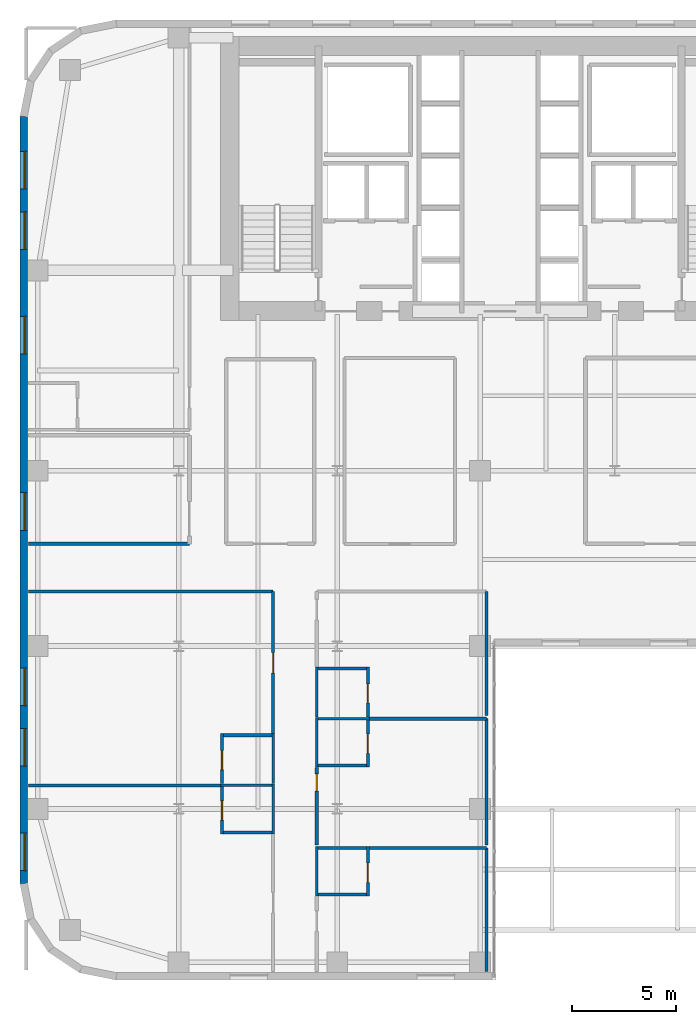
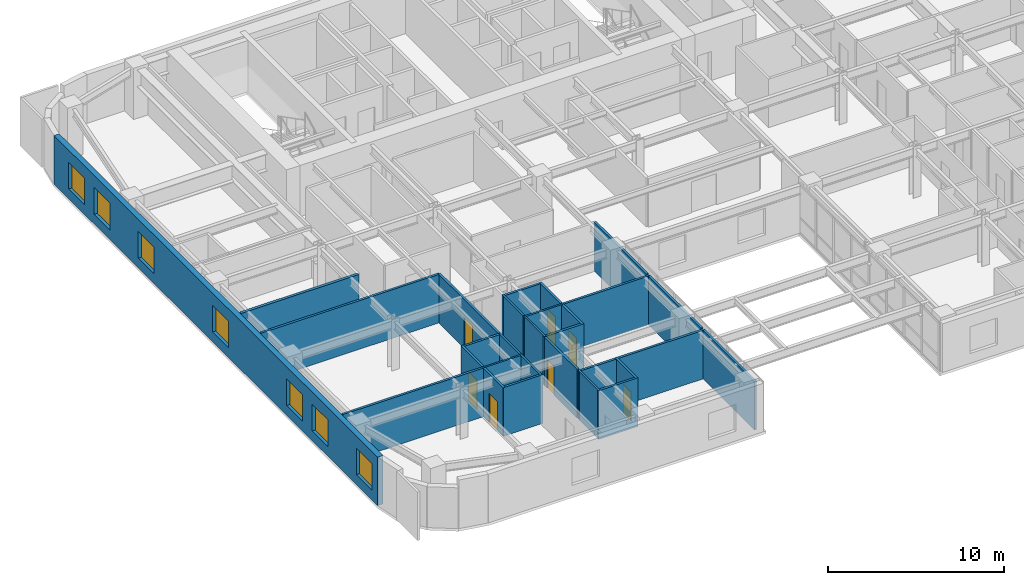
# One storey, part 10 of 16: 29 walls, 7 doors, 7 windows, 14 openings.
"""IFC4 building model written with IfcOpenShell, lengths in metres."""

from ifc_helpers import new_model, si_unit, direction, frame, frame_2d, origin, place, context, subcontext, project, spatial, rectangle, extrude, source, transform, mapped, material, layer, layer_set, type_object, type_shapes, element, fill, save


model = new_model("IFC4")

# Units and contexts
model_context = context("Model", 3, precision=1e-05, world=origin(), true_north=direction((0.0, 1.0)))
body_context = subcontext(model_context, "Body", "Model", "MODEL_VIEW")
ifc_project = project(units=[si_unit("LENGTHUNIT", "METRE"), si_unit("AREAUNIT", "SQUARE_METRE"), si_unit("VOLUMEUNIT", "CUBIC_METRE"), si_unit("PLANEANGLEUNIT", "RADIAN"), si_unit("MASSUNIT", "GRAM", prefix="KILO")], contexts=[model_context])

# Site, building, storey
site_placement = place(None, origin())
site = spatial("IfcSite", under=ifc_project, at=site_placement, CompositionType="ELEMENT")
building_placement = place(site_placement, origin())
building = spatial("IfcBuilding", under=site, at=building_placement, Name="Tolvann Quenvar Hotel", CompositionType="ELEMENT")
storey_placement = place(building_placement, frame((0.0, 0.0, 71.050048828125)))
storey = spatial("IfcBuildingStorey", under=building, at=storey_placement, Name="L17", CompositionType="ELEMENT", Elevation=71.050048828125)

# Wall, openings, windows
ifc_material_1 = material(Name="Kiln-fired red and buff architectural clay brickwork and terracotta masonry", Category="masonry")
ifc_layer_1 = layer(ifc_material_1, 0.35009765625)
ifc_layer_set_1 = layer_set([ifc_layer_1], Name="Kiln-fired red and buff architectural clay brickwork and terracotta masonry")
wall_type_1 = type_object("IfcWallType", Name="WALL_EXT_BRICK_350", PredefinedType="SOLIDWALL", material=ifc_layer_set_1)
wall_1_placement = place(storey_placement, frame((0.175048828125, 41.3828125, 0.0), z_axis=(0.0, 0.0, 1.0), x_axis=(0.0, -1.0, 0.0)))
wall_1 = element("IfcWall", 1, at=wall_1_placement, inside=storey, type_object=wall_type_1, Name="Exterior Chicago Brick Wall L17-E23", PredefinedType="SOLIDWALL", context=body_context, shape_type="SweptSolid", body=[
    extrude(rectangle(XDim=36.765625, YDim=0.35009765625, at=frame_2d((18.3828125, 0.0))), origin(), (0.0, 0.0, 1.0), 3.369873046875),
])
opening_1_placement = place(wall_1_placement, frame((1.676025390625, 0.0, 0.679931640625)))
opening_1 = element("IfcOpeningElement", 2, at=opening_1_placement, cuts=wall_1, Name="Opening W-03", PredefinedType="OPENING", context=body_context, shape_type="SweptSolid", body=[
    extrude(rectangle(XDim=1.800048828125, YDim=1.85009765625, at=frame_2d((0.89990234375, 0.925048828125))), frame((0.0, 0.18505859375, 0.0), z_axis=(0.0, -1.0, 0.0), x_axis=(1.0, 0.0, 0.0)), (0.0, 0.0, 1.0), 0.3701171875),
])
opening_2_placement = place(wall_1_placement, frame((4.577880859375, 0.0, 0.679931640625)))
opening_2 = element("IfcOpeningElement", 3, at=opening_2_placement, cuts=wall_1, Name="Opening W-03", PredefinedType="OPENING", context=body_context, shape_type="SweptSolid", body=[
    extrude(rectangle(XDim=1.800048828125, YDim=1.85009765625, at=frame_2d((0.89990234375, 0.925048828125))), frame((0.0, 0.18505859375, 0.0), z_axis=(0.0, -1.0, 0.0), x_axis=(1.0, 0.0, 0.0)), (0.0, 0.0, 1.0), 0.3701171875),
])
opening_3_placement = place(wall_1_placement, frame((9.5791015625, 0.0, 0.679931640625)))
opening_3 = element("IfcOpeningElement", 4, at=opening_3_placement, cuts=wall_1, Name="Opening W-03", PredefinedType="OPENING", context=body_context, shape_type="SweptSolid", body=[
    extrude(rectangle(XDim=1.800048828125, YDim=1.85009765625, at=frame_2d((0.89990234375, 0.925048828125))), frame((0.0, 0.18505859375, 0.0), z_axis=(0.0, -1.0, 0.0), x_axis=(1.0, 0.0, 0.0)), (0.0, 0.0, 1.0), 0.3701171875),
])
opening_4_placement = place(wall_1_placement, frame((18.032958984375, 0.0, 0.679931640625)))
opening_4 = element("IfcOpeningElement", 5, at=opening_4_placement, cuts=wall_1, Name="Opening W-03", PredefinedType="OPENING", context=body_context, shape_type="SweptSolid", body=[
    extrude(rectangle(XDim=1.800048828125, YDim=1.85009765625, at=frame_2d((0.89990234375, 0.925048828125))), frame((0.0, 0.18505859375, 0.0), z_axis=(0.0, -1.0, 0.0), x_axis=(1.0, 0.0, 0.0)), (0.0, 0.0, 1.0), 0.3701171875),
])
opening_5_placement = place(wall_1_placement, frame((26.43603515625, 0.0, 0.679931640625)))
opening_5 = element("IfcOpeningElement", 6, at=opening_5_placement, cuts=wall_1, Name="Opening W-03", PredefinedType="OPENING", context=body_context, shape_type="SweptSolid", body=[
    extrude(rectangle(XDim=1.800048828125, YDim=1.85009765625, at=frame_2d((0.89990234375, 0.925048828125))), frame((0.0, 0.18505859375, 0.0), z_axis=(0.0, -1.0, 0.0), x_axis=(1.0, 0.0, 0.0)), (0.0, 0.0, 1.0), 0.3701171875),
])
opening_6_placement = place(wall_1_placement, frame((29.337890625, 0.0, 0.679931640625)))
opening_6 = element("IfcOpeningElement", 7, at=opening_6_placement, cuts=wall_1, Name="Opening W-03", PredefinedType="OPENING", context=body_context, shape_type="SweptSolid", body=[
    extrude(rectangle(XDim=1.800048828125, YDim=1.85009765625, at=frame_2d((0.89990234375, 0.925048828125))), frame((0.0, 0.18505859375, 0.0), z_axis=(0.0, -1.0, 0.0), x_axis=(1.0, 0.0, 0.0)), (0.0, 0.0, 1.0), 0.3701171875),
])
opening_7_placement = place(wall_1_placement, frame((34.340087890625, 0.0, 0.679931640625)))
opening_7 = element("IfcOpeningElement", 8, at=opening_7_placement, cuts=wall_1, Name="Opening W-03", PredefinedType="OPENING", context=body_context, shape_type="SweptSolid", body=[
    extrude(rectangle(XDim=1.800048828125, YDim=1.85009765625, at=frame_2d((0.89990234375, 0.925048828125))), frame((0.0, 0.18505859375, 0.0), z_axis=(0.0, -1.0, 0.0), x_axis=(1.0, 0.0, 0.0)), (0.0, 0.0, 1.0), 0.3701171875),
])
ifc_material_2 = material(Name="Thermally broken bronze-anodised aluminium frame with double low-E glazing", Category="aluminium")
window_type = type_object("IfcWindowType", Name="WIN_CHI_1800x2050", PartitioningType="TRIPLE_PANEL_HORIZONTAL", PredefinedType="WINDOW", material=ifc_material_2)
shared_shape_1 = source(origin(), body_context, "Body", "SweptSolid", [
    extrude(rectangle(XDim=1.800048828125, YDim=1.85009765625, at=frame_2d((0.89990234375, 0.925048828125))), frame((0.0, 0.090087890625, 0.0), z_axis=(0.0, -1.0, 0.0), x_axis=(1.0, 0.0, 0.0)), (0.0, 0.0, 1.0), 0.06005859375),
])
type_shapes(window_type, [shared_shape_1])
window_1_placement = place(opening_1_placement, origin())
window_1 = element("IfcWindow", 9, at=window_1_placement, inside=storey, type_object=window_type, Name="Chicago Window W-03 (EW-L17-E23-W01)", OverallHeight=1.85009765625, OverallWidth=1.800048828125, PartitioningType="TRIPLE_PANEL_HORIZONTAL", PredefinedType="WINDOW", context=body_context, shape_type="MappedRepresentation", body=[
    mapped(shared_shape_1, transform((0.0, 0.0, 0.0), x_axis=(1.0, 0.0, 0.0), y_axis=(0.0, 1.0, 0.0), z_axis=(0.0, 0.0, 1.0), scale=1.0)),
])
fill(opening_1, window_1)
window_2_placement = place(opening_2_placement, origin())
window_2 = element("IfcWindow", 10, at=window_2_placement, inside=storey, type_object=window_type, Name="Chicago Window W-03 (EW-L17-E23-W02)", OverallHeight=1.85009765625, OverallWidth=1.800048828125, PartitioningType="TRIPLE_PANEL_HORIZONTAL", PredefinedType="WINDOW", context=body_context, shape_type="MappedRepresentation", body=[
    mapped(shared_shape_1, transform((0.0, 0.0, 0.0), x_axis=(1.0, 0.0, 0.0), y_axis=(0.0, 1.0, 0.0), z_axis=(0.0, 0.0, 1.0), scale=1.0)),
])
fill(opening_2, window_2)
window_3_placement = place(opening_3_placement, origin())
window_3 = element("IfcWindow", 11, at=window_3_placement, inside=storey, type_object=window_type, Name="Chicago Window W-03 (EW-L17-E23-W03)", OverallHeight=1.85009765625, OverallWidth=1.800048828125, PartitioningType="TRIPLE_PANEL_HORIZONTAL", PredefinedType="WINDOW", context=body_context, shape_type="MappedRepresentation", body=[
    mapped(shared_shape_1, transform((0.0, 0.0, 0.0), x_axis=(1.0, 0.0, 0.0), y_axis=(0.0, 1.0, 0.0), z_axis=(0.0, 0.0, 1.0), scale=1.0)),
])
fill(opening_3, window_3)
window_4_placement = place(opening_4_placement, origin())
window_4 = element("IfcWindow", 12, at=window_4_placement, inside=storey, type_object=window_type, Name="Chicago Window W-03 (EW-L17-E23-W04)", OverallHeight=1.85009765625, OverallWidth=1.800048828125, PartitioningType="TRIPLE_PANEL_HORIZONTAL", PredefinedType="WINDOW", context=body_context, shape_type="MappedRepresentation", body=[
    mapped(shared_shape_1, transform((0.0, 0.0, 0.0), x_axis=(1.0, 0.0, 0.0), y_axis=(0.0, 1.0, 0.0), z_axis=(0.0, 0.0, 1.0), scale=1.0)),
])
fill(opening_4, window_4)
window_5_placement = place(opening_5_placement, origin())
window_5 = element("IfcWindow", 13, at=window_5_placement, inside=storey, type_object=window_type, Name="Chicago Window W-03 (EW-L17-E23-W05)", OverallHeight=1.85009765625, OverallWidth=1.800048828125, PartitioningType="TRIPLE_PANEL_HORIZONTAL", PredefinedType="WINDOW", context=body_context, shape_type="MappedRepresentation", body=[
    mapped(shared_shape_1, transform((0.0, 0.0, 0.0), x_axis=(1.0, 0.0, 0.0), y_axis=(0.0, 1.0, 0.0), z_axis=(0.0, 0.0, 1.0), scale=1.0)),
])
fill(opening_5, window_5)
window_6_placement = place(opening_6_placement, origin())
window_6 = element("IfcWindow", 14, at=window_6_placement, inside=storey, type_object=window_type, Name="Chicago Window W-03 (EW-L17-E23-W06)", OverallHeight=1.85009765625, OverallWidth=1.800048828125, PartitioningType="TRIPLE_PANEL_HORIZONTAL", PredefinedType="WINDOW", context=body_context, shape_type="MappedRepresentation", body=[
    mapped(shared_shape_1, transform((0.0, 0.0, 0.0), x_axis=(1.0, 0.0, 0.0), y_axis=(0.0, 1.0, 0.0), z_axis=(0.0, 0.0, 1.0), scale=1.0)),
])
fill(opening_6, window_6)
window_7_placement = place(opening_7_placement, origin())
window_7 = element("IfcWindow", 15, at=window_7_placement, inside=storey, type_object=window_type, Name="Chicago Window W-03 (EW-L17-E23-W07)", OverallHeight=1.85009765625, OverallWidth=1.800048828125, PartitioningType="TRIPLE_PANEL_HORIZONTAL", PredefinedType="WINDOW", context=body_context, shape_type="MappedRepresentation", body=[
    mapped(shared_shape_1, transform((0.0, 0.0, 0.0), x_axis=(1.0, 0.0, 0.0), y_axis=(0.0, 1.0, 0.0), z_axis=(0.0, 0.0, 1.0), scale=1.0)),
])
fill(opening_7, window_7)

# Walls
ifc_material_3 = material(Name="Acoustic twin-stud fire-rated gypsum plasterboard partition")
ifc_layer_2 = layer(ifc_material_3, 0.179931640625)
ifc_layer_set_2 = layer_set([ifc_layer_2], Name="Acoustic twin-stud fire-rated gypsum plasterboard partition")
wall_type_2 = type_object("IfcWallType", Name="WALL_PART_ACOUSTIC_180", PredefinedType="PARTITIONING", material=ifc_layer_set_2)
wall_2_placement = place(storey_placement, frame((0.405029296875, 20.89990234375, 0.0), z_axis=(0.0, 0.0, 1.0), x_axis=(1.0, 0.0, 0.0)))
element("IfcWall", 16, at=wall_2_placement, inside=storey, type_object=wall_type_2, Name="Interior Partition PT-SPC-L17-SAL-S", PredefinedType="PARTITIONING", context=body_context, shape_type="SweptSolid", body=[
    extrude(rectangle(XDim=7.715087890625, YDim=0.179931640625, at=frame_2d((3.857421875, 0.0))), origin(), (0.0, 0.0, 1.0), 3.369873046875),
])
ifc_material_4 = material(Name="Moisture-resistant acoustic plumbing wall assembly")
ifc_layer_3 = layer(ifc_material_4, 0.1201171875)
ifc_layer_set_3 = layer_set([ifc_layer_3], Name="Moisture-resistant acoustic plumbing wall assembly")
wall_type_3 = type_object("IfcWallType", Name="WALL_PART_BATH_120", PredefinedType="PLUMBINGWALL", material=ifc_layer_set_3)
wall_3_placement = place(storey_placement, frame((9.610107421875, 9.320068359375, 0.0), z_axis=(0.0, 0.0, 1.0), x_axis=(1.0, 0.0, 0.0)))
element("IfcWall", 17, at=wall_3_placement, inside=storey, type_object=wall_type_3, Name="Non-Rated Plumbing Partition PT-SPC-L17-ENS-WO01-N", PredefinedType="PLUMBINGWALL", context=body_context, shape_type="SweptSolid", body=[
    extrude(rectangle(XDim=2.58984375, YDim=0.1201171875, at=frame_2d((1.294921875, 0.0))), origin(), (0.0, 0.0, 1.0), 3.369873046875),
])
wall_4_placement = place(storey_placement, frame((12.1298828125, 7.0, 0.0), z_axis=(0.0, 0.0, 1.0), x_axis=(0.0, 1.0, 0.0)))
element("IfcWall", 18, at=wall_4_placement, inside=storey, type_object=wall_type_3, Name="Non-Rated Plumbing Partition PT-SPC-L17-ENS-WO01-E", PredefinedType="PLUMBINGWALL", context=body_context, shape_type="SweptSolid", body=[
    extrude(rectangle(XDim=2.389892578125, YDim=0.1201171875, at=frame_2d((1.19482421875, 0.0))), origin(), (0.0, 0.0, 1.0), 3.369873046875),
])
wall_5_placement = place(storey_placement, frame((12.1298828125, 9.409912109375, 0.0), z_axis=(0.0, 0.0, 1.0), x_axis=(0.0, 1.0, 0.0)))
element("IfcWall", 19, at=wall_5_placement, inside=storey, type_object=wall_type_3, Name="Non-Rated Plumbing Partition PT-SPC-L17-ENS-WO02-E", PredefinedType="PLUMBINGWALL", context=body_context, shape_type="SweptSolid", body=[
    extrude(rectangle(XDim=2.39013671875, YDim=0.1201171875, at=frame_2d((1.195068359375, 0.0))), origin(), (0.0, 0.0, 1.0), 3.369873046875),
])
wall_6_placement = place(storey_placement, frame((14.219970703125, 4.031005859375, 0.0), z_axis=(0.0, 0.0, 1.0), x_axis=(0.0, 1.0, 0.0)))
element("IfcWall", 20, at=wall_6_placement, inside=storey, type_object=wall_type_3, Name="Non-Rated Plumbing Partition PT-SPC-L17-ENS-WI01-W", PredefinedType="PLUMBINGWALL", context=body_context, shape_type="SweptSolid", body=[
    extrude(rectangle(XDim=2.35888671875, YDim=0.1201171875, at=frame_2d((1.179443359375, 0.0))), origin(), (0.0, 0.0, 1.0), 3.369873046875),
])
wall_7_placement = place(storey_placement, frame((14.14990234375, 12.52001953125, 0.0), z_axis=(0.0, 0.0, 1.0), x_axis=(1.0, 0.0, 0.0)))
element("IfcWall", 21, at=wall_7_placement, inside=storey, type_object=wall_type_3, Name="Non-Rated Plumbing Partition PT-SPC-L17-ENS-WI02-N", PredefinedType="PLUMBINGWALL", context=body_context, shape_type="SweptSolid", body=[
    extrude(rectangle(XDim=2.590087890625, YDim=0.1201171875, at=frame_2d((1.294921875, 0.0))), origin(), (0.0, 0.0, 1.0), 3.369873046875),
])
wall_8_placement = place(storey_placement, frame((14.219970703125, 10.199951171875, 0.0), z_axis=(0.0, 0.0, 1.0), x_axis=(0.0, 1.0, 0.0)))
element("IfcWall", 22, at=wall_8_placement, inside=storey, type_object=wall_type_3, Name="Non-Rated Plumbing Partition PT-SPC-L17-ENS-WI02-W", PredefinedType="PLUMBINGWALL", context=body_context, shape_type="SweptSolid", body=[
    extrude(rectangle(XDim=2.39013671875, YDim=0.1201171875, at=frame_2d((1.195068359375, 0.0))), origin(), (0.0, 0.0, 1.0), 3.369873046875),
])
wall_9_placement = place(storey_placement, frame((14.219970703125, 12.610107421875, 0.0), z_axis=(0.0, 0.0, 1.0), x_axis=(0.0, 1.0, 0.0)))
element("IfcWall", 23, at=wall_9_placement, inside=storey, type_object=wall_type_3, Name="Non-Rated Plumbing Partition PT-SPC-L17-ENS-WI03-W", PredefinedType="PLUMBINGWALL", context=body_context, shape_type="SweptSolid", body=[
    extrude(rectangle(XDim=2.389892578125, YDim=0.1201171875, at=frame_2d((1.19482421875, 0.0))), origin(), (0.0, 0.0, 1.0), 3.369873046875),
])

# Wall, opening, door
ifc_layer_4 = layer(ifc_material_3, 0.14990234375)
ifc_layer_set_4 = layer_set([ifc_layer_4], Name="Acoustic twin-stud fire-rated gypsum plasterboard partition")
wall_type_4 = type_object("IfcWallType", Name="WALL_PART_SUITE_150", PredefinedType="PARTITIONING", material=ifc_layer_set_4)
wall_10_placement = place(storey_placement, frame((9.679931640625, 7.0, 0.0), z_axis=(0.0, 0.0, 1.0), x_axis=(0.0, 1.0, 0.0)))
wall_10 = element("IfcWall", 24, at=wall_10_placement, inside=storey, type_object=wall_type_4, Name="Interior Partition PT-SPC-L17-ENS-WO01-ENT", PredefinedType="PARTITIONING", context=body_context, shape_type="SweptSolid", body=[
    extrude(rectangle(XDim=2.389892578125, YDim=0.14990234375, at=frame_2d((1.19482421875, 0.0))), origin(), (0.0, 0.0, 1.0), 3.369873046875),
])
opening_8_placement = place(wall_10_placement, frame((0.6650390625, 0.0, 0.0)))
opening_8 = element("IfcOpeningElement", 25, at=opening_8_placement, cuts=wall_10, Name="Opening WD-01", PredefinedType="OPENING", context=body_context, shape_type="SweptSolid", body=[
    extrude(rectangle(XDim=0.919921875, YDim=2.010009765625, at=frame_2d((0.4599609375, 1.0048828125))), frame((0.0, 0.0849609375, 0.0), z_axis=(0.0, -1.0, 0.0), x_axis=(1.0, 0.0, 0.0)), (0.0, 0.0, 1.0), 0.169921875),
])
ifc_material_5 = material(Name="Solid-core American oak acoustic fire door leaf in steel frame", Category="steel")
door_type_1 = type_object("IfcDoorType", Name="DOOR_WC_920", OperationType="NOTDEFINED", PredefinedType="DOOR", material=ifc_material_5)
shared_shape_2 = source(origin(), body_context, "Body", "SweptSolid", [
    extrude(rectangle(XDim=0.919921875, YDim=2.010009765625, at=frame_2d((0.4599609375, 1.0048828125))), frame((0.0, 0.02490234375, 0.0), z_axis=(0.0, -1.0, 0.0), x_axis=(1.0, 0.0, 0.0)), (0.0, 0.0, 1.0), 0.050048828125),
])
type_shapes(door_type_1, [shared_shape_2])
door_1_placement = place(opening_8_placement, origin())
door_1 = element("IfcDoor", 26, at=door_1_placement, inside=storey, type_object=door_type_1, Name="Interior Door DOOR-SPC-L17-ENS-WO01", OperationType="SINGLE_SWING_RIGHT", OverallHeight=2.010009765625, OverallWidth=0.919921875, PredefinedType="DOOR", context=body_context, shape_type="MappedRepresentation", body=[
    mapped(shared_shape_2, transform((0.0, 0.0, 0.0), x_axis=(1.0, 0.0, 0.0), y_axis=(0.0, 1.0, 0.0), z_axis=(0.0, 0.0, 1.0), scale=1.0)),
])
fill(opening_8, door_1)

# Wall
wall_11_placement = place(storey_placement, frame((9.610107421875, 7.070068359375, 0.0), z_axis=(0.0, 0.0, 1.0), x_axis=(1.0, 0.0, 0.0)))
element("IfcWall", 27, at=wall_11_placement, inside=storey, type_object=wall_type_4, Name="Interior Partition PT-SPC-L17-ENS-WO01-S", PredefinedType="PARTITIONING", context=body_context, shape_type="SweptSolid", body=[
    extrude(rectangle(XDim=2.58984375, YDim=0.14990234375, at=frame_2d((1.294921875, 0.0))), origin(), (0.0, 0.0, 1.0), 3.369873046875),
])

# Wall, opening, door
wall_12_placement = place(storey_placement, frame((9.679931640625, 9.409912109375, 0.0), z_axis=(0.0, 0.0, 1.0), x_axis=(0.0, 1.0, 0.0)))
wall_12 = element("IfcWall", 28, at=wall_12_placement, inside=storey, type_object=wall_type_4, Name="Interior Partition PT-SPC-L17-ENS-WO02-ENT", PredefinedType="PARTITIONING", context=body_context, shape_type="SweptSolid", body=[
    extrude(rectangle(XDim=2.39013671875, YDim=0.14990234375, at=frame_2d((1.195068359375, 0.0))), origin(), (0.0, 0.0, 1.0), 3.369873046875),
])
opening_9_placement = place(wall_12_placement, frame((0.6650390625, 0.0, 0.0)))
opening_9 = element("IfcOpeningElement", 29, at=opening_9_placement, cuts=wall_12, Name="Opening WD-01", PredefinedType="OPENING", context=body_context, shape_type="SweptSolid", body=[
    extrude(rectangle(XDim=0.919921875, YDim=2.010009765625, at=frame_2d((0.4599609375, 1.0048828125))), frame((0.0, 0.0849609375, 0.0), z_axis=(0.0, -1.0, 0.0), x_axis=(1.0, 0.0, 0.0)), (0.0, 0.0, 1.0), 0.169921875),
])
door_2_placement = place(opening_9_placement, origin())
door_2 = element("IfcDoor", 30, at=door_2_placement, inside=storey, type_object=door_type_1, Name="Interior Door DOOR-SPC-L17-ENS-WO02", OperationType="SINGLE_SWING_LEFT", OverallHeight=2.010009765625, OverallWidth=0.919921875, PredefinedType="DOOR", context=body_context, shape_type="MappedRepresentation", body=[
    mapped(shared_shape_2, transform((0.0, 0.0, 0.0), x_axis=(1.0, 0.0, 0.0), y_axis=(0.0, 1.0, 0.0), z_axis=(0.0, 0.0, 1.0), scale=1.0)),
])
fill(opening_9, door_2)

# Wall
wall_13_placement = place(storey_placement, frame((9.610107421875, 11.72998046875, 0.0), z_axis=(0.0, 0.0, 1.0), x_axis=(1.0, 0.0, 0.0)))
element("IfcWall", 31, at=wall_13_placement, inside=storey, type_object=wall_type_4, Name="Interior Partition PT-SPC-L17-ENS-WO02-N", PredefinedType="PARTITIONING", context=body_context, shape_type="SweptSolid", body=[
    extrude(rectangle(XDim=2.58984375, YDim=0.14990234375, at=frame_2d((1.294921875, 0.0))), origin(), (0.0, 0.0, 1.0), 3.369873046875),
])

# Wall, opening, door
wall_14_placement = place(storey_placement, frame((16.669921875, 4.031005859375, 0.0), z_axis=(0.0, 0.0, 1.0), x_axis=(0.0, 1.0, 0.0)))
wall_14 = element("IfcWall", 32, at=wall_14_placement, inside=storey, type_object=wall_type_4, Name="Interior Partition PT-SPC-L17-ENS-WI01-ENT", PredefinedType="PARTITIONING", context=body_context, shape_type="SweptSolid", body=[
    extrude(rectangle(XDim=2.35888671875, YDim=0.14990234375, at=frame_2d((1.179443359375, 0.0))), origin(), (0.0, 0.0, 1.0), 3.369873046875),
])
opening_10_placement = place(wall_14_placement, frame((0.6494140625, 0.0, 0.0)))
opening_10 = element("IfcOpeningElement", 33, at=opening_10_placement, cuts=wall_14, Name="Opening WD-01", PredefinedType="OPENING", context=body_context, shape_type="SweptSolid", body=[
    extrude(rectangle(XDim=0.919921875, YDim=2.010009765625, at=frame_2d((0.4599609375, 1.0048828125))), frame((0.0, 0.0849609375, 0.0), z_axis=(0.0, -1.0, 0.0), x_axis=(1.0, 0.0, 0.0)), (0.0, 0.0, 1.0), 0.169921875),
])
door_3_placement = place(opening_10_placement, origin())
door_3 = element("IfcDoor", 34, at=door_3_placement, inside=storey, type_object=door_type_1, Name="Interior Door DOOR-SPC-L17-ENS-WI01", OperationType="SINGLE_SWING_RIGHT", OverallHeight=2.010009765625, OverallWidth=0.919921875, PredefinedType="DOOR", context=body_context, shape_type="MappedRepresentation", body=[
    mapped(shared_shape_2, transform((0.0, 0.0, 0.0), x_axis=(1.0, 0.0, 0.0), y_axis=(0.0, 1.0, 0.0), z_axis=(0.0, 0.0, 1.0), scale=1.0)),
])
fill(opening_10, door_3)

# Walls
for number, where, z_axis, x_axis, name in (
    (35, (14.14990234375, 4.10107421875, 0.0), (0.0, 0.0, 1.0), (1.0, 0.0, 0.0), "Interior Partition PT-SPC-L17-ENS-WI01-S"),
    (36, (14.14990234375, 6.320068359375, 0.0), (0.0, 0.0, 1.0), (1.0, 0.0, 0.0), "Interior Partition PT-SPC-L17-ENS-WI01-N"),
):
    element("IfcWall", number, at=place(storey_placement, frame(where, z_axis=z_axis, x_axis=x_axis)), inside=storey, type_object=wall_type_4, Name=name, PredefinedType="PARTITIONING", context=body_context, shape_type="SweptSolid", body=[
        extrude(rectangle(XDim=2.590087890625, YDim=0.14990234375, at=frame_2d((1.294921875, 0.0))), origin(), (0.0, 0.0, 1.0), 3.369873046875),
    ])

# Wall, opening, door
wall_15_placement = place(storey_placement, frame((16.669921875, 10.199951171875, 0.0), z_axis=(0.0, 0.0, 1.0), x_axis=(0.0, 1.0, 0.0)))
wall_15 = element("IfcWall", 37, at=wall_15_placement, inside=storey, type_object=wall_type_4, Name="Interior Partition PT-SPC-L17-ENS-WI02-ENT", PredefinedType="PARTITIONING", context=body_context, shape_type="SweptSolid", body=[
    extrude(rectangle(XDim=2.39013671875, YDim=0.14990234375, at=frame_2d((1.195068359375, 0.0))), origin(), (0.0, 0.0, 1.0), 3.369873046875),
])
opening_11_placement = place(wall_15_placement, frame((0.6650390625, 0.0, 0.0)))
opening_11 = element("IfcOpeningElement", 38, at=opening_11_placement, cuts=wall_15, Name="Opening WD-01", PredefinedType="OPENING", context=body_context, shape_type="SweptSolid", body=[
    extrude(rectangle(XDim=0.919921875, YDim=2.010009765625, at=frame_2d((0.4599609375, 1.0048828125))), frame((0.0, 0.0849609375, 0.0), z_axis=(0.0, -1.0, 0.0), x_axis=(1.0, 0.0, 0.0)), (0.0, 0.0, 1.0), 0.169921875),
])
door_4_placement = place(opening_11_placement, origin())
door_4 = element("IfcDoor", 39, at=door_4_placement, inside=storey, type_object=door_type_1, Name="Interior Door DOOR-SPC-L17-ENS-WI02", OperationType="SINGLE_SWING_LEFT", OverallHeight=2.010009765625, OverallWidth=0.919921875, PredefinedType="DOOR", context=body_context, shape_type="MappedRepresentation", body=[
    mapped(shared_shape_2, transform((0.0, 0.0, 0.0), x_axis=(1.0, 0.0, 0.0), y_axis=(0.0, 1.0, 0.0), z_axis=(0.0, 0.0, 1.0), scale=1.0)),
])
fill(opening_11, door_4)

# Wall
wall_16_placement = place(storey_placement, frame((14.14990234375, 10.27001953125, 0.0), z_axis=(0.0, 0.0, 1.0), x_axis=(1.0, 0.0, 0.0)))
element("IfcWall", 40, at=wall_16_placement, inside=storey, type_object=wall_type_4, Name="Interior Partition PT-SPC-L17-ENS-WI02-S", PredefinedType="PARTITIONING", context=body_context, shape_type="SweptSolid", body=[
    extrude(rectangle(XDim=2.590087890625, YDim=0.14990234375, at=frame_2d((1.294921875, 0.0))), origin(), (0.0, 0.0, 1.0), 3.369873046875),
])

# Wall, opening, door
wall_17_placement = place(storey_placement, frame((16.669921875, 12.610107421875, 0.0), z_axis=(0.0, 0.0, 1.0), x_axis=(0.0, 1.0, 0.0)))
wall_17 = element("IfcWall", 41, at=wall_17_placement, inside=storey, type_object=wall_type_4, Name="Interior Partition PT-SPC-L17-ENS-WI03-ENT", PredefinedType="PARTITIONING", context=body_context, shape_type="SweptSolid", body=[
    extrude(rectangle(XDim=2.389892578125, YDim=0.14990234375, at=frame_2d((1.19482421875, 0.0))), origin(), (0.0, 0.0, 1.0), 3.369873046875),
])
opening_12_placement = place(wall_17_placement, frame((0.6650390625, 0.0, 0.0)))
opening_12 = element("IfcOpeningElement", 42, at=opening_12_placement, cuts=wall_17, Name="Opening WD-01", PredefinedType="OPENING", context=body_context, shape_type="SweptSolid", body=[
    extrude(rectangle(XDim=0.919921875, YDim=2.010009765625, at=frame_2d((0.4599609375, 1.0048828125))), frame((0.0, 0.0849609375, 0.0), z_axis=(0.0, -1.0, 0.0), x_axis=(1.0, 0.0, 0.0)), (0.0, 0.0, 1.0), 0.169921875),
])
door_5_placement = place(opening_12_placement, origin())
door_5 = element("IfcDoor", 43, at=door_5_placement, inside=storey, type_object=door_type_1, Name="Interior Door DOOR-SPC-L17-ENS-WI03", OperationType="SINGLE_SWING_RIGHT", OverallHeight=2.010009765625, OverallWidth=0.919921875, PredefinedType="DOOR", context=body_context, shape_type="MappedRepresentation", body=[
    mapped(shared_shape_2, transform((0.0, 0.0, 0.0), x_axis=(1.0, 0.0, 0.0), y_axis=(0.0, 1.0, 0.0), z_axis=(0.0, 0.0, 1.0), scale=1.0)),
])
fill(opening_12, door_5)

# Walls
wall_18_placement = place(storey_placement, frame((14.14990234375, 14.929931640625, 0.0), z_axis=(0.0, 0.0, 1.0), x_axis=(1.0, 0.0, 0.0)))
element("IfcWall", 44, at=wall_18_placement, inside=storey, type_object=wall_type_4, Name="Interior Partition PT-SPC-L17-ENS-WI03-N", PredefinedType="PARTITIONING", context=body_context, shape_type="SweptSolid", body=[
    extrude(rectangle(XDim=2.590087890625, YDim=0.14990234375, at=frame_2d((1.294921875, 0.0))), origin(), (0.0, 0.0, 1.0), 3.369873046875),
])
wall_19_placement = place(storey_placement, frame((0.405029296875, 9.320068359375, 0.0), z_axis=(0.0, 0.0, 1.0), x_axis=(1.0, 0.0, 0.0)))
element("IfcWall", 45, at=wall_19_placement, inside=storey, type_object=wall_type_4, Name="Interior Partition PT-SPC-L17-RM-WO01-E5", PredefinedType="PARTITIONING", context=body_context, shape_type="SweptSolid", body=[
    extrude(rectangle(XDim=9.2548828125, YDim=0.14990234375, at=frame_2d((4.62744140625, 0.0))), origin(), (0.0, 0.0, 1.0), 3.369873046875),
])

# Wall, opening, door
wall_20_placement = place(storey_placement, frame((12.1298828125, 11.81005859375, 0.0), z_axis=(0.0, 0.0, 1.0), x_axis=(0.0, 1.0, 0.0)))
wall_20 = element("IfcWall", 46, at=wall_20_placement, inside=storey, type_object=wall_type_4, Name="Interior Partition PT-SPC-L17-RM-WO02-ENT", PredefinedType="PARTITIONING", context=body_context, shape_type="SweptSolid", body=[
    extrude(rectangle(XDim=6.81005859375, YDim=0.14990234375, at=frame_2d((3.405029296875, 0.0))), origin(), (0.0, 0.0, 1.0), 3.369873046875),
])
opening_13_placement = place(wall_20_placement, frame((2.89501953125, 0.0, 0.0)))
opening_13 = element("IfcOpeningElement", 47, at=opening_13_placement, cuts=wall_20, Name="Opening SD-01", PredefinedType="OPENING", context=body_context, shape_type="SweptSolid", body=[
    extrude(rectangle(XDim=0.97998046875, YDim=2.1201171875, at=frame_2d((0.489990234375, 1.06005859375))), frame((0.0, 0.0849609375, 0.0), z_axis=(0.0, -1.0, 0.0), x_axis=(1.0, 0.0, 0.0)), (0.0, 0.0, 1.0), 0.169921875),
])
door_type_2 = type_object("IfcDoorType", Name="DOOR_SUITE_980", OperationType="NOTDEFINED", PredefinedType="DOOR", material=ifc_material_5)
shared_shape_3 = source(origin(), body_context, "Body", "SweptSolid", [
    extrude(rectangle(XDim=0.97998046875, YDim=2.1201171875, at=frame_2d((0.489990234375, 1.06005859375))), frame((0.0, 0.02490234375, 0.0), z_axis=(0.0, -1.0, 0.0), x_axis=(1.0, 0.0, 0.0)), (0.0, 0.0, 1.0), 0.050048828125),
])
type_shapes(door_type_2, [shared_shape_3])
door_6_placement = place(opening_13_placement, origin())
door_6 = element("IfcDoor", 48, at=door_6_placement, inside=storey, type_object=door_type_2, Name="Interior Door DOOR-SPC-L17-RM-WO02", OperationType="SINGLE_SWING_LEFT", OverallHeight=2.1201171875, OverallWidth=0.97998046875, PredefinedType="DOOR", context=body_context, shape_type="MappedRepresentation", body=[
    mapped(shared_shape_3, transform((0.0, 0.0, 0.0), x_axis=(1.0, 0.0, 0.0), y_axis=(0.0, 1.0, 0.0), z_axis=(0.0, 0.0, 1.0), scale=1.0)),
])
fill(opening_13, door_6)

# Walls
wall_21_placement = place(storey_placement, frame((0.405029296875, 18.6201171875, 0.0), z_axis=(0.0, 0.0, 1.0), x_axis=(1.0, 0.0, 0.0)))
element("IfcWall", 49, at=wall_21_placement, inside=storey, type_object=wall_type_4, Name="Interior Partition PT-SPC-L17-RM-WO02-E5", PredefinedType="PARTITIONING", context=body_context, shape_type="SweptSolid", body=[
    extrude(rectangle(XDim=11.724853515625, YDim=0.14990234375, at=frame_2d((5.8623046875, 0.0))), origin(), (0.0, 0.0, 1.0), 3.369873046875),
])
wall_22_placement = place(storey_placement, frame((22.35009765625, 0.405029296875, 0.0), z_axis=(0.0, 0.0, 1.0), x_axis=(0.0, 1.0, 0.0)))
element("IfcWall", 50, at=wall_22_placement, inside=storey, type_object=wall_type_4, Name="Interior Partition PT-SPC-L17-RM-WI01-E2", PredefinedType="PARTITIONING", context=body_context, shape_type="SweptSolid", body=[
    extrude(rectangle(XDim=5.9150390625, YDim=0.14990234375, at=frame_2d((2.95751953125, 0.0))), origin(), (0.0, 0.0, 1.0), 3.369873046875),
])
wall_23_placement = place(storey_placement, frame((16.68994140625, 6.320068359375, 0.0), z_axis=(0.0, 0.0, 1.0), x_axis=(1.0, 0.0, 0.0)))
element("IfcWall", 51, at=wall_23_placement, inside=storey, type_object=wall_type_4, Name="Interior Partition PT-SPC-L17-RM-WI01-E3", PredefinedType="PARTITIONING", context=body_context, shape_type="SweptSolid", body=[
    extrude(rectangle(XDim=5.66015625, YDim=0.14990234375, at=frame_2d((2.830078125, 0.0))), origin(), (0.0, 0.0, 1.0), 3.369873046875),
])

# Wall, opening, door
wall_24_placement = place(storey_placement, frame((14.219970703125, 6.47998046875, 0.0), z_axis=(0.0, 0.0, 1.0), x_axis=(0.0, 1.0, 0.0)))
wall_24 = element("IfcWall", 52, at=wall_24_placement, inside=storey, type_object=wall_type_4, Name="Interior Partition PT-SPC-L17-RM-WI02-ENT", PredefinedType="PARTITIONING", context=body_context, shape_type="SweptSolid", body=[
    extrude(rectangle(XDim=3.7099609375, YDim=0.14990234375, at=frame_2d((1.85498046875, 0.0))), origin(), (0.0, 0.0, 1.0), 3.369873046875),
])
opening_14_placement = place(wall_24_placement, frame((2.580078125, 0.0, 0.0)))
opening_14 = element("IfcOpeningElement", 53, at=opening_14_placement, cuts=wall_24, Name="Opening HD-02", PredefinedType="OPENING", context=body_context, shape_type="SweptSolid", body=[
    extrude(rectangle(XDim=0.820068359375, YDim=2.010009765625, at=frame_2d((0.41015625, 1.0048828125))), frame((0.0, 0.0849609375, 0.0), z_axis=(0.0, -1.0, 0.0), x_axis=(1.0, 0.0, 0.0)), (0.0, 0.0, 1.0), 0.169921875),
])
ifc_material_6 = material(Name="Pressed galvanised steel fire-rated door set", Category="steel")
door_type_3 = type_object("IfcDoorType", Name="DOOR_STORE_820", OperationType="NOTDEFINED", PredefinedType="DOOR", material=ifc_material_6)
shared_shape_4 = source(origin(), body_context, "Body", "SweptSolid", [
    extrude(rectangle(XDim=0.820068359375, YDim=2.010009765625, at=frame_2d((0.41015625, 1.0048828125))), frame((0.0, 0.02490234375, 0.0), z_axis=(0.0, -1.0, 0.0), x_axis=(1.0, 0.0, 0.0)), (0.0, 0.0, 1.0), 0.050048828125),
])
type_shapes(door_type_3, [shared_shape_4])
door_7_placement = place(opening_14_placement, origin())
door_7 = element("IfcDoor", 54, at=door_7_placement, inside=storey, type_object=door_type_3, Name="Interior Door DOOR-SPC-L17-RM-WI02", OperationType="SINGLE_SWING_LEFT", OverallHeight=2.010009765625, OverallWidth=0.820068359375, PredefinedType="DOOR", context=body_context, shape_type="MappedRepresentation", body=[
    mapped(shared_shape_4, transform((0.0, 0.0, 0.0), x_axis=(1.0, 0.0, 0.0), y_axis=(0.0, 1.0, 0.0), z_axis=(0.0, 0.0, 1.0), scale=1.0)),
])
fill(opening_14, door_7)

# Walls
wall_25_placement = place(storey_placement, frame((22.35009765625, 6.47998046875, 0.0), z_axis=(0.0, 0.0, 1.0), x_axis=(0.0, 1.0, 0.0)))
element("IfcWall", 55, at=wall_25_placement, inside=storey, type_object=wall_type_4, Name="Interior Partition PT-SPC-L17-RM-WI02-E2", PredefinedType="PARTITIONING", context=body_context, shape_type="SweptSolid", body=[
    extrude(rectangle(XDim=6.0400390625, YDim=0.14990234375, at=frame_2d((3.02001953125, 0.0))), origin(), (0.0, 0.0, 1.0), 3.369873046875),
])
wall_26_placement = place(storey_placement, frame((16.68994140625, 12.52001953125, 0.0), z_axis=(0.0, 0.0, 1.0), x_axis=(1.0, 0.0, 0.0)))
element("IfcWall", 56, at=wall_26_placement, inside=storey, type_object=wall_type_4, Name="Interior Partition PT-SPC-L17-RM-WI02-E3", PredefinedType="PARTITIONING", context=body_context, shape_type="SweptSolid", body=[
    extrude(rectangle(XDim=5.66015625, YDim=0.14990234375, at=frame_2d((2.830078125, 0.0))), origin(), (0.0, 0.0, 1.0), 3.369873046875),
])
wall_27_placement = place(storey_placement, frame((22.35009765625, 12.679931640625, 0.0), z_axis=(0.0, 0.0, 1.0), x_axis=(0.0, 1.0, 0.0)))
element("IfcWall", 57, at=wall_27_placement, inside=storey, type_object=wall_type_4, Name="Interior Partition PT-SPC-L17-RM-WI03-E4", PredefinedType="PARTITIONING", context=body_context, shape_type="SweptSolid", body=[
    extrude(rectangle(XDim=5.940185546875, YDim=0.14990234375, at=frame_2d((2.97021484375, 0.0))), origin(), (0.0, 0.0, 1.0), 3.369873046875),
])

save(model, "model.ifc")
